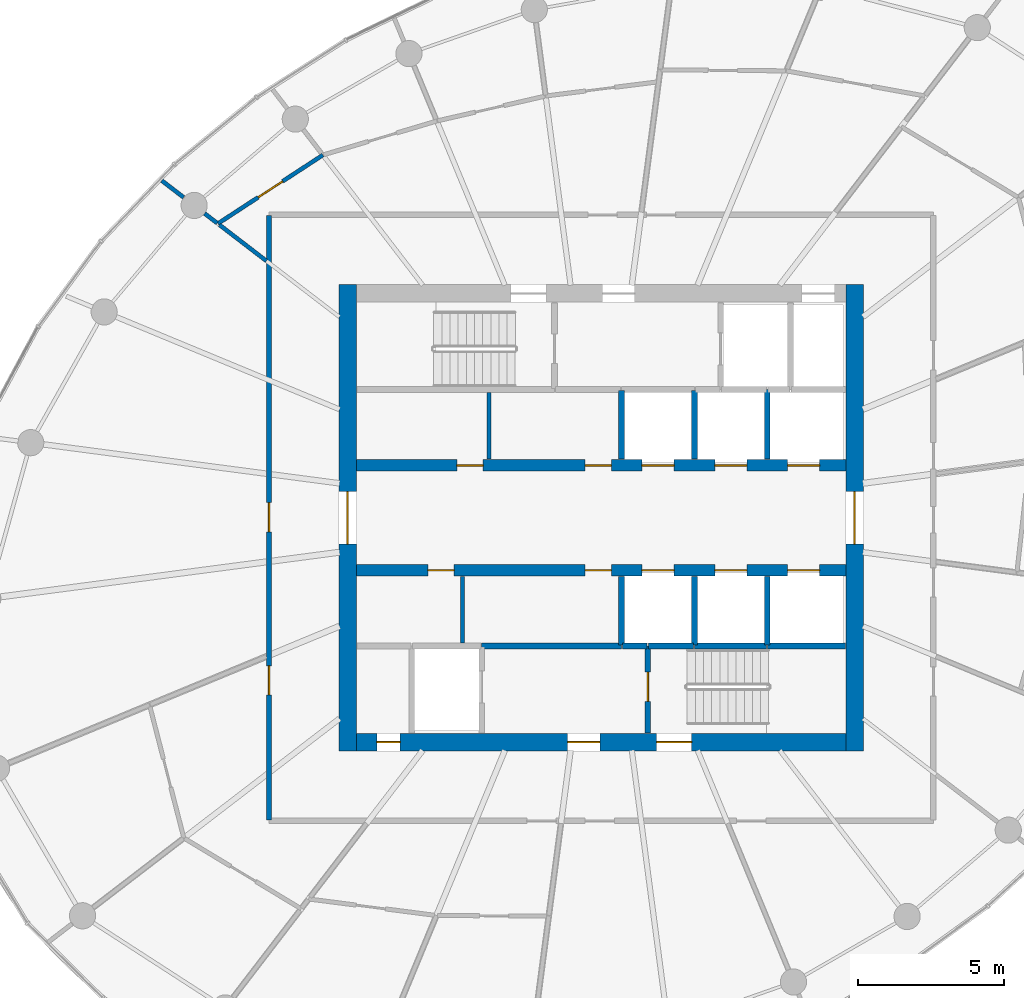
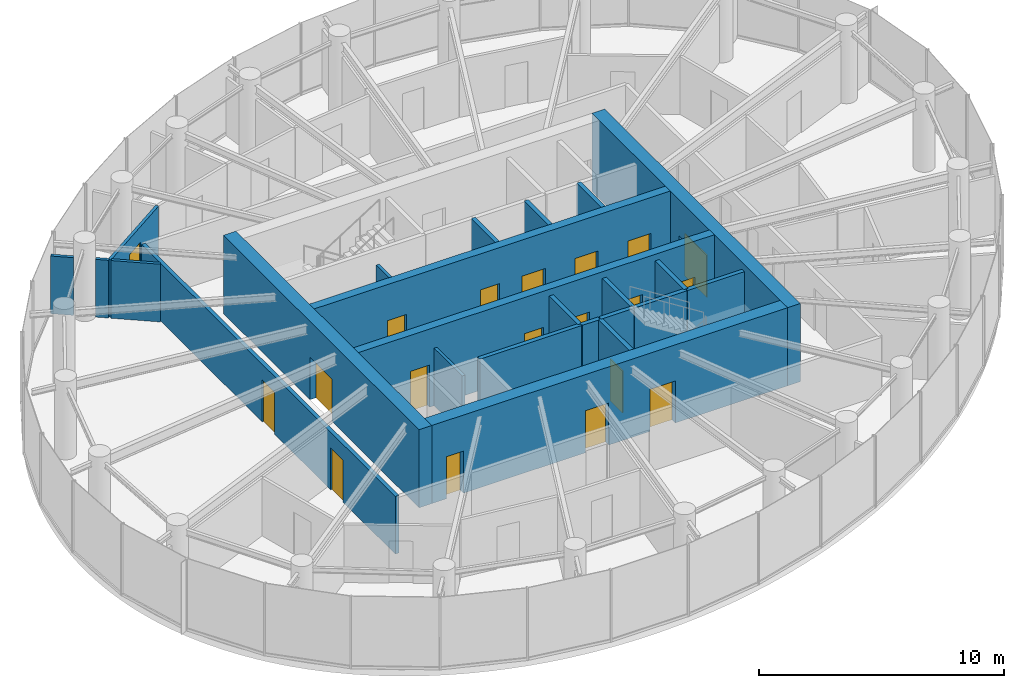
# One storey, part 10 of 14: 24 walls, 19 doors, 19 openings.
"""IFC4 building model written with IfcOpenShell, lengths in metres."""

from ifc_helpers import new_model, si_unit, direction, frame, frame_2d, origin, place, context, subcontext, project, spatial, rectangle, extrude, source, transform, mapped, material, layer, layer_set, type_object, element, fill, save


model = new_model("IFC4")

# Units and contexts
model_context = context("Model", 3, precision=1e-05, world=origin(), true_north=direction((0.0, 1.0)))
body_context = subcontext(model_context, "Body", "Model", "MODEL_VIEW")
ifc_project = project(units=[si_unit("LENGTHUNIT", "METRE"), si_unit("AREAUNIT", "SQUARE_METRE"), si_unit("VOLUMEUNIT", "CUBIC_METRE"), si_unit("PLANEANGLEUNIT", "RADIAN"), si_unit("MASSUNIT", "GRAM", prefix="KILO")], contexts=[model_context])

# Site, building, storey
site_placement = place(None, origin())
site = spatial("IfcSite", under=ifc_project, at=site_placement, CompositionType="ELEMENT")
building_placement = place(site_placement, origin())
building = spatial("IfcBuilding", under=site, at=building_placement, Name="Spindrift Exchange Tower", CompositionType="ELEMENT")
storey_placement = place(building_placement, frame((0.0, 0.0, 203.300048828125)))
storey = spatial("IfcBuildingStorey", under=building, at=storey_placement, Name="L49", CompositionType="ELEMENT", Elevation=203.300048828125)

# Wall, opening, door
ifc_material_1 = material(Name="Concrete 50 MPa", Category="concrete")
ifc_layer_1 = layer(ifc_material_1, 0.60009765625)
ifc_layer_set_1 = layer_set([ifc_layer_1], Name="RC Core Wall 600 Concrete 50 MPa")
wall_type_1 = type_object("IfcWallType", Name="RC Core Wall 600 Concrete 50 MPa", PredefinedType="SHEAR", material=ifc_layer_set_1)
wall_1_placement = place(storey_placement, frame((60.699951171875, 40.0, 0.0), z_axis=(0.0, 0.0, 1.0), x_axis=(0.0, 1.0, 0.0)))
wall_1 = element("IfcWall", 1, at=wall_1_placement, inside=storey, type_object=wall_type_1, Name="Core wall E L49", PredefinedType="SHEAR", context=body_context, shape_type="SweptSolid", body=[
    extrude(rectangle(XDim=16.0, YDim=0.60009765625, at=frame_2d((8.0, 0.0))), origin(), (0.0, 0.0, 1.0), 3.89990234375),
])
opening_1_placement = place(wall_1_placement, frame((7.10009765625, 0.0, 0.0)))
opening_1 = element("IfcOpeningElement", 2, at=opening_1_placement, cuts=wall_1, Name="Opening L49-D2", PredefinedType="OPENING", context=body_context, shape_type="SweptSolid", body=[
    extrude(rectangle(XDim=1.800048828125, YDim=2.10009765625, at=frame_2d((0.89990234375, 1.050048828125))), frame((0.0, 0.31005859375, 0.0), z_axis=(0.0, -1.0, 0.0), x_axis=(1.0, 0.0, 0.0)), (0.0, 0.0, 1.0), 0.6201171875),
])
ifc_material_2 = material(Name="Timber-core fire door", Category="wood")
door_type_1 = type_object("IfcDoorType", Name="DR-LOBBY-1800", OperationType="NOTDEFINED", PredefinedType="DOOR", material=ifc_material_2)
shared_shape_1 = source(origin(), body_context, "Body", "SweptSolid", [
    extrude(rectangle(XDim=1.800048828125, YDim=2.10009765625, at=frame_2d((0.89990234375, 1.050048828125))), frame((0.0, 0.02490234375, 0.0), z_axis=(0.0, -1.0, 0.0), x_axis=(1.0, 0.0, 0.0)), (0.0, 0.0, 1.0), 0.050048828125),
])
door_1_placement = place(opening_1_placement, origin())
door_1 = element("IfcDoor", 3, at=door_1_placement, inside=storey, type_object=door_type_1, Name="L49 Lobby door 2", OperationType="SINGLE_SWING_LEFT", OverallHeight=2.10009765625, OverallWidth=1.800048828125, PredefinedType="DOOR", context=body_context, shape_type="MappedRepresentation", body=[
    mapped(shared_shape_1, transform((0.0, 0.0, 0.0), scale=1.0)),
])
fill(opening_1, door_1)

wall_2_placement = place(storey_placement, frame((43.300048828125, 56.0, 0.0), z_axis=(0.0, 0.0, 1.0), x_axis=(0.0, -1.0, 0.0)))
wall_2 = element("IfcWall", 4, at=wall_2_placement, inside=storey, type_object=wall_type_1, Name="Core wall W L49", PredefinedType="SHEAR", context=body_context, shape_type="SweptSolid", body=[
    extrude(rectangle(XDim=16.0, YDim=0.60009765625, at=frame_2d((8.0, 0.0))), origin(), (0.0, 0.0, 1.0), 3.89990234375),
])
opening_2_placement = place(wall_2_placement, frame((7.10009765625, 0.0, 0.0)))
opening_2 = element("IfcOpeningElement", 5, at=opening_2_placement, cuts=wall_2, Name="Opening L49-D1", PredefinedType="OPENING", context=body_context, shape_type="SweptSolid", body=[
    extrude(rectangle(XDim=1.800048828125, YDim=2.10009765625, at=frame_2d((0.89990234375, 1.050048828125))), frame((0.0, 0.31005859375, 0.0), z_axis=(0.0, -1.0, 0.0), x_axis=(1.0, 0.0, 0.0)), (0.0, 0.0, 1.0), 0.6201171875),
])
door_2_placement = place(opening_2_placement, origin())
door_2 = element("IfcDoor", 6, at=door_2_placement, inside=storey, type_object=door_type_1, Name="L49 Lobby door 1", OperationType="SINGLE_SWING_RIGHT", OverallHeight=2.10009765625, OverallWidth=1.800048828125, PredefinedType="DOOR", context=body_context, shape_type="MappedRepresentation", body=[
    mapped(shared_shape_1, transform((0.0, 0.0, 0.0), scale=1.0)),
])
fill(opening_2, door_2)

# Wall, openings, doors
wall_3_placement = place(storey_placement, frame((43.60009765625, 40.300048828125, 0.0), z_axis=(0.0, 0.0, 1.0), x_axis=(1.0, 0.0, 0.0)))
wall_3 = element("IfcWall", 7, at=wall_3_placement, inside=storey, type_object=wall_type_1, Name="Core wall S L49", PredefinedType="SHEAR", context=body_context, shape_type="SweptSolid", body=[
    extrude(rectangle(XDim=16.7998046875, YDim=0.60009765625, at=frame_2d((8.39990234375, 0.0))), origin(), (0.0, 0.0, 1.0), 3.89990234375),
])
opening_3_placement = place(wall_3_placement, frame((10.300048828125, 0.0, 0.0)))
opening_3 = element("IfcOpeningElement", 8, at=opening_3_placement, cuts=wall_3, Name="Opening L49-D15", PredefinedType="OPENING", context=body_context, shape_type="SweptSolid", body=[
    extrude(rectangle(XDim=1.199951171875, YDim=2.10009765625, at=frame_2d((0.60009765625, 1.050048828125))), frame((0.0, 0.31005859375, 0.0), z_axis=(0.0, -1.0, 0.0), x_axis=(1.0, 0.0, 0.0)), (0.0, 0.0, 1.0), 0.6201171875),
])
opening_4_placement = place(wall_3_placement, frame((7.25, 0.0, 0.0)))
opening_4 = element("IfcOpeningElement", 9, at=opening_4_placement, cuts=wall_3, Name="Opening L49-D17", PredefinedType="OPENING", context=body_context, shape_type="SweptSolid", body=[
    extrude(rectangle(XDim=1.10009765625, YDim=2.10009765625, at=frame_2d((0.550048828125, 1.050048828125))), frame((0.0, 0.31005859375, 0.0), z_axis=(0.0, -1.0, 0.0), x_axis=(1.0, 0.0, 0.0)), (0.0, 0.0, 1.0), 0.6201171875),
])
opening_5_placement = place(wall_3_placement, frame((0.699951171875, 0.0, 0.0)))
opening_5 = element("IfcOpeningElement", 10, at=opening_5_placement, cuts=wall_3, Name="Opening L49-D18", PredefinedType="OPENING", context=body_context, shape_type="SweptSolid", body=[
    extrude(rectangle(XDim=0.800048828125, YDim=2.10009765625, at=frame_2d((0.39990234375, 1.050048828125))), frame((0.0, 0.31005859375, 0.0), z_axis=(0.0, -1.0, 0.0), x_axis=(1.0, 0.0, 0.0)), (0.0, 0.0, 1.0), 0.6201171875),
])
ifc_material_3 = material(Name="Steel fire door", Category="steel")
door_type_2 = type_object("IfcDoorType", Name="DR-STAIR-1200", OperationType="NOTDEFINED", PredefinedType="DOOR", material=ifc_material_3)
shared_shape_2 = source(origin(), body_context, "Body", "SweptSolid", [
    extrude(rectangle(XDim=1.199951171875, YDim=2.10009765625, at=frame_2d((0.60009765625, 1.050048828125))), frame((0.0, 0.02490234375, 0.0), z_axis=(0.0, -1.0, 0.0), x_axis=(1.0, 0.0, 0.0)), (0.0, 0.0, 1.0), 0.050048828125),
])
door_3_placement = place(opening_3_placement, origin())
door_3 = element("IfcDoor", 11, at=door_3_placement, inside=storey, type_object=door_type_2, Name="L49 Stair door 15", OperationType="SINGLE_SWING_LEFT", OverallHeight=2.10009765625, OverallWidth=1.199951171875, PredefinedType="DOOR", context=body_context, shape_type="MappedRepresentation", body=[
    mapped(shared_shape_2, transform((0.0, 0.0, 0.0), scale=1.0)),
])
fill(opening_3, door_3)
door_type_3 = type_object("IfcDoorType", Name="DR-LOBBY-1100", OperationType="NOTDEFINED", PredefinedType="DOOR", material=ifc_material_2)
shared_shape_3 = source(origin(), body_context, "Body", "SweptSolid", [
    extrude(rectangle(XDim=1.10009765625, YDim=2.10009765625, at=frame_2d((0.550048828125, 1.050048828125))), frame((0.0, 0.02490234375, 0.0), z_axis=(0.0, -1.0, 0.0), x_axis=(1.0, 0.0, 0.0)), (0.0, 0.0, 1.0), 0.050048828125),
])
door_4_placement = place(opening_4_placement, origin())
door_4 = element("IfcDoor", 12, at=door_4_placement, inside=storey, type_object=door_type_3, Name="L49 Lobby door 17", OperationType="SINGLE_SWING_LEFT", OverallHeight=2.10009765625, OverallWidth=1.10009765625, PredefinedType="DOOR", context=body_context, shape_type="MappedRepresentation", body=[
    mapped(shared_shape_3, transform((0.0, 0.0, 0.0), scale=1.0)),
])
fill(opening_4, door_4)
ifc_material_4 = material(Name="Steel access door", Category="steel")
door_type_4 = type_object("IfcDoorType", Name="DR-RISER-800", OperationType="NOTDEFINED", PredefinedType="DOOR", material=ifc_material_4)
shared_shape_4 = source(origin(), body_context, "Body", "SweptSolid", [
    extrude(rectangle(XDim=0.800048828125, YDim=2.10009765625, at=frame_2d((0.39990234375, 1.050048828125))), frame((0.0, 0.02490234375, 0.0), z_axis=(0.0, -1.0, 0.0), x_axis=(1.0, 0.0, 0.0)), (0.0, 0.0, 1.0), 0.050048828125),
])
door_5_placement = place(opening_5_placement, origin())
door_5 = element("IfcDoor", 13, at=door_5_placement, inside=storey, type_object=door_type_4, Name="L49 Riser door 18", OperationType="SINGLE_SWING_RIGHT", OverallHeight=2.10009765625, OverallWidth=0.800048828125, PredefinedType="DOOR", context=body_context, shape_type="MappedRepresentation", body=[
    mapped(shared_shape_4, transform((0.0, 0.0, 0.0), scale=1.0)),
])
fill(opening_5, door_5)

ifc_layer_2 = layer(ifc_material_1, 0.39990234375)
ifc_layer_set_2 = layer_set([ifc_layer_2], Name="RC Spine Wall 400 Concrete 50 MPa")
wall_type_2 = type_object("IfcWallType", Name="RC Spine Wall 400 Concrete 50 MPa", PredefinedType="SHEAR", material=ifc_layer_set_2)
wall_4_placement = place(storey_placement, frame((43.60009765625, 49.800048828125, 0.0), z_axis=(0.0, 0.0, 1.0), x_axis=(1.0, 0.0, 0.0)))
wall_4 = element("IfcWall", 14, at=wall_4_placement, inside=storey, type_object=wall_type_2, Name="Core spine wall N L49", PredefinedType="SHEAR", context=body_context, shape_type="SweptSolid", body=[
    extrude(rectangle(XDim=16.7998046875, YDim=0.39990234375, at=frame_2d((8.39990234375, 0.0))), origin(), (0.0, 0.0, 1.0), 3.89990234375),
])
opening_6_placement = place(wall_4_placement, frame((9.800048828125, 0.0, 0.0)))
opening_6 = element("IfcOpeningElement", 15, at=opening_6_placement, cuts=wall_4, Name="Opening L49-D3", PredefinedType="OPENING", context=body_context, shape_type="SweptSolid", body=[
    extrude(rectangle(XDim=1.10009765625, YDim=2.10009765625, at=frame_2d((0.550048828125, 1.050048828125))), frame((0.0, 0.2099609375, 0.0), z_axis=(0.0, -1.0, 0.0), x_axis=(1.0, 0.0, 0.0)), (0.0, 0.0, 1.0), 0.419921875),
])
opening_7_placement = place(wall_4_placement, frame((12.300048828125, 0.0, 0.0)))
opening_7 = element("IfcOpeningElement", 16, at=opening_7_placement, cuts=wall_4, Name="Opening L49-D4", PredefinedType="OPENING", context=body_context, shape_type="SweptSolid", body=[
    extrude(rectangle(XDim=1.10009765625, YDim=2.10009765625, at=frame_2d((0.550048828125, 1.050048828125))), frame((0.0, 0.2099609375, 0.0), z_axis=(0.0, -1.0, 0.0), x_axis=(1.0, 0.0, 0.0)), (0.0, 0.0, 1.0), 0.419921875),
])
opening_8_placement = place(wall_4_placement, frame((14.800048828125, 0.0, 0.0)))
opening_8 = element("IfcOpeningElement", 17, at=opening_8_placement, cuts=wall_4, Name="Opening L49-D5", PredefinedType="OPENING", context=body_context, shape_type="SweptSolid", body=[
    extrude(rectangle(XDim=1.10009765625, YDim=2.10009765625, at=frame_2d((0.550048828125, 1.050048828125))), frame((0.0, 0.2099609375, 0.0), z_axis=(0.0, -1.0, 0.0), x_axis=(1.0, 0.0, 0.0)), (0.0, 0.0, 1.0), 0.419921875),
])
opening_9_placement = place(wall_4_placement, frame((3.449951171875, 0.0, 0.0)))
opening_9 = element("IfcOpeningElement", 18, at=opening_9_placement, cuts=wall_4, Name="Opening L49-D45", PredefinedType="OPENING", context=body_context, shape_type="SweptSolid", body=[
    extrude(rectangle(XDim=0.89990234375, YDim=2.10009765625, at=frame_2d((0.449951171875, 1.050048828125))), frame((0.0, 0.2099609375, 0.0), z_axis=(0.0, -1.0, 0.0), x_axis=(1.0, 0.0, 0.0)), (0.0, 0.0, 1.0), 0.419921875),
])
opening_10_placement = place(wall_4_placement, frame((7.85009765625, 0.0, 0.0)))
opening_10 = element("IfcOpeningElement", 19, at=opening_10_placement, cuts=wall_4, Name="Opening L49-D46", PredefinedType="OPENING", context=body_context, shape_type="SweptSolid", body=[
    extrude(rectangle(XDim=0.89990234375, YDim=2.10009765625, at=frame_2d((0.449951171875, 1.050048828125))), frame((0.0, 0.2099609375, 0.0), z_axis=(0.0, -1.0, 0.0), x_axis=(1.0, 0.0, 0.0)), (0.0, 0.0, 1.0), 0.419921875),
])
ifc_material_5 = material(Name="Stainless steel landing door", Category="steel")
door_type_5 = type_object("IfcDoorType", Name="DR-LANDING-1100-SL", OperationType="DOUBLE_DOOR_SLIDING", PredefinedType="USERDEFINED", material=ifc_material_5)
shared_shape_5 = source(origin(), body_context, "Body", "SweptSolid", [
    extrude(rectangle(XDim=1.10009765625, YDim=2.10009765625, at=frame_2d((0.550048828125, 1.050048828125))), frame((0.0, 0.02490234375, 0.0), z_axis=(0.0, -1.0, 0.0), x_axis=(1.0, 0.0, 0.0)), (0.0, 0.0, 1.0), 0.050048828125),
])
door_6_placement = place(opening_6_placement, origin())
door_6 = element("IfcDoor", 20, at=door_6_placement, inside=storey, type_object=door_type_5, Name="L49 Lift landing door 3", ObjectType="LANDING DOOR", OperationType="DOUBLE_DOOR_SLIDING", OverallHeight=2.10009765625, OverallWidth=1.10009765625, PredefinedType="USERDEFINED", context=body_context, shape_type="MappedRepresentation", body=[
    mapped(shared_shape_5, transform((0.0, 0.0, 0.0), scale=1.0)),
])
fill(opening_6, door_6)
door_7_placement = place(opening_7_placement, origin())
door_7 = element("IfcDoor", 21, at=door_7_placement, inside=storey, type_object=door_type_5, Name="L49 Lift landing door 4", ObjectType="LANDING DOOR", OperationType="DOUBLE_DOOR_SLIDING", OverallHeight=2.10009765625, OverallWidth=1.10009765625, PredefinedType="USERDEFINED", context=body_context, shape_type="MappedRepresentation", body=[
    mapped(shared_shape_5, transform((0.0, 0.0, 0.0), scale=1.0)),
])
fill(opening_7, door_7)
door_8_placement = place(opening_8_placement, origin())
door_8 = element("IfcDoor", 22, at=door_8_placement, inside=storey, type_object=door_type_5, Name="L49 Lift landing door 5", ObjectType="LANDING DOOR", OperationType="DOUBLE_DOOR_SLIDING", OverallHeight=2.10009765625, OverallWidth=1.10009765625, PredefinedType="USERDEFINED", context=body_context, shape_type="MappedRepresentation", body=[
    mapped(shared_shape_5, transform((0.0, 0.0, 0.0), scale=1.0)),
])
fill(opening_8, door_8)
door_type_6 = type_object("IfcDoorType", Name="DR-RISER-900", OperationType="NOTDEFINED", PredefinedType="DOOR", material=ifc_material_4)
shared_shape_6 = source(origin(), body_context, "Body", "SweptSolid", [
    extrude(rectangle(XDim=0.89990234375, YDim=2.10009765625, at=frame_2d((0.449951171875, 1.050048828125))), frame((0.0, 0.02490234375, 0.0), z_axis=(0.0, -1.0, 0.0), x_axis=(1.0, 0.0, 0.0)), (0.0, 0.0, 1.0), 0.050048828125),
])
door_9_placement = place(opening_9_placement, origin())
door_9 = element("IfcDoor", 23, at=door_9_placement, inside=storey, type_object=door_type_6, Name="L49 Riser door 45", OperationType="SINGLE_SWING_LEFT", OverallHeight=2.10009765625, OverallWidth=0.89990234375, PredefinedType="DOOR", context=body_context, shape_type="MappedRepresentation", body=[
    mapped(shared_shape_6, transform((0.0, 0.0, 0.0), scale=1.0)),
])
fill(opening_9, door_9)
door_10_placement = place(opening_10_placement, origin())
door_10 = element("IfcDoor", 24, at=door_10_placement, inside=storey, type_object=door_type_6, Name="L49 Riser door 46", OperationType="SINGLE_SWING_RIGHT", OverallHeight=2.10009765625, OverallWidth=0.89990234375, PredefinedType="DOOR", context=body_context, shape_type="MappedRepresentation", body=[
    mapped(shared_shape_6, transform((0.0, 0.0, 0.0), scale=1.0)),
])
fill(opening_10, door_10)

wall_5_placement = place(storey_placement, frame((43.60009765625, 46.199951171875, 0.0), z_axis=(0.0, 0.0, 1.0), x_axis=(1.0, 0.0, 0.0)))
wall_5 = element("IfcWall", 25, at=wall_5_placement, inside=storey, type_object=wall_type_2, Name="Core spine wall S L49", PredefinedType="SHEAR", context=body_context, shape_type="SweptSolid", body=[
    extrude(rectangle(XDim=16.7998046875, YDim=0.39990234375, at=frame_2d((8.39990234375, 0.0))), origin(), (0.0, 0.0, 1.0), 3.89990234375),
])
opening_11_placement = place(wall_5_placement, frame((9.800048828125, 0.0, 0.0)))
opening_11 = element("IfcOpeningElement", 26, at=opening_11_placement, cuts=wall_5, Name="Opening L49-D6", PredefinedType="OPENING", context=body_context, shape_type="SweptSolid", body=[
    extrude(rectangle(XDim=1.10009765625, YDim=2.10009765625, at=frame_2d((0.550048828125, 1.050048828125))), frame((0.0, 0.2099609375, 0.0), z_axis=(0.0, -1.0, 0.0), x_axis=(1.0, 0.0, 0.0)), (0.0, 0.0, 1.0), 0.419921875),
])
opening_12_placement = place(wall_5_placement, frame((12.300048828125, 0.0, 0.0)))
opening_12 = element("IfcOpeningElement", 27, at=opening_12_placement, cuts=wall_5, Name="Opening L49-D7", PredefinedType="OPENING", context=body_context, shape_type="SweptSolid", body=[
    extrude(rectangle(XDim=1.10009765625, YDim=2.10009765625, at=frame_2d((0.550048828125, 1.050048828125))), frame((0.0, 0.2099609375, 0.0), z_axis=(0.0, -1.0, 0.0), x_axis=(1.0, 0.0, 0.0)), (0.0, 0.0, 1.0), 0.419921875),
])
opening_13_placement = place(wall_5_placement, frame((14.800048828125, 0.0, 0.0)))
opening_13 = element("IfcOpeningElement", 28, at=opening_13_placement, cuts=wall_5, Name="Opening L49-D8", PredefinedType="OPENING", context=body_context, shape_type="SweptSolid", body=[
    extrude(rectangle(XDim=1.10009765625, YDim=2.10009765625, at=frame_2d((0.550048828125, 1.050048828125))), frame((0.0, 0.2099609375, 0.0), z_axis=(0.0, -1.0, 0.0), x_axis=(1.0, 0.0, 0.0)), (0.0, 0.0, 1.0), 0.419921875),
])
opening_14_placement = place(wall_5_placement, frame((2.449951171875, 0.0, 0.0)))
opening_14 = element("IfcOpeningElement", 29, at=opening_14_placement, cuts=wall_5, Name="Opening L49-D47", PredefinedType="OPENING", context=body_context, shape_type="SweptSolid", body=[
    extrude(rectangle(XDim=0.89990234375, YDim=2.10009765625, at=frame_2d((0.449951171875, 1.050048828125))), frame((0.0, 0.2099609375, 0.0), z_axis=(0.0, -1.0, 0.0), x_axis=(1.0, 0.0, 0.0)), (0.0, 0.0, 1.0), 0.419921875),
])
opening_15_placement = place(wall_5_placement, frame((7.85009765625, 0.0, 0.0)))
opening_15 = element("IfcOpeningElement", 30, at=opening_15_placement, cuts=wall_5, Name="Opening L49-D48", PredefinedType="OPENING", context=body_context, shape_type="SweptSolid", body=[
    extrude(rectangle(XDim=0.89990234375, YDim=2.10009765625, at=frame_2d((0.449951171875, 1.050048828125))), frame((0.0, 0.2099609375, 0.0), z_axis=(0.0, -1.0, 0.0), x_axis=(1.0, 0.0, 0.0)), (0.0, 0.0, 1.0), 0.419921875),
])
door_11_placement = place(opening_11_placement, origin())
door_11 = element("IfcDoor", 31, at=door_11_placement, inside=storey, type_object=door_type_5, Name="L49 Lift landing door 6", ObjectType="LANDING DOOR", OperationType="DOUBLE_DOOR_SLIDING", OverallHeight=2.10009765625, OverallWidth=1.10009765625, PredefinedType="USERDEFINED", context=body_context, shape_type="MappedRepresentation", body=[
    mapped(shared_shape_5, transform((0.0, 0.0, 0.0), scale=1.0)),
])
fill(opening_11, door_11)
door_12_placement = place(opening_12_placement, origin())
door_12 = element("IfcDoor", 32, at=door_12_placement, inside=storey, type_object=door_type_5, Name="L49 Lift landing door 7", ObjectType="LANDING DOOR", OperationType="DOUBLE_DOOR_SLIDING", OverallHeight=2.10009765625, OverallWidth=1.10009765625, PredefinedType="USERDEFINED", context=body_context, shape_type="MappedRepresentation", body=[
    mapped(shared_shape_5, transform((0.0, 0.0, 0.0), scale=1.0)),
])
fill(opening_12, door_12)
door_13_placement = place(opening_13_placement, origin())
door_13 = element("IfcDoor", 33, at=door_13_placement, inside=storey, type_object=door_type_5, Name="L49 Lift landing door 8", ObjectType="LANDING DOOR", OperationType="DOUBLE_DOOR_SLIDING", OverallHeight=2.10009765625, OverallWidth=1.10009765625, PredefinedType="USERDEFINED", context=body_context, shape_type="MappedRepresentation", body=[
    mapped(shared_shape_5, transform((0.0, 0.0, 0.0), scale=1.0)),
])
fill(opening_13, door_13)
door_14_placement = place(opening_14_placement, origin())
door_14 = element("IfcDoor", 34, at=door_14_placement, inside=storey, type_object=door_type_6, Name="L49 Riser door 47", OperationType="SINGLE_SWING_LEFT", OverallHeight=2.10009765625, OverallWidth=0.89990234375, PredefinedType="DOOR", context=body_context, shape_type="MappedRepresentation", body=[
    mapped(shared_shape_6, transform((0.0, 0.0, 0.0), scale=1.0)),
])
fill(opening_14, door_14)
door_15_placement = place(opening_15_placement, origin())
door_15 = element("IfcDoor", 35, at=door_15_placement, inside=storey, type_object=door_type_6, Name="L49 Riser door 48", OperationType="SINGLE_SWING_RIGHT", OverallHeight=2.10009765625, OverallWidth=0.89990234375, PredefinedType="DOOR", context=body_context, shape_type="MappedRepresentation", body=[
    mapped(shared_shape_6, transform((0.0, 0.0, 0.0), scale=1.0)),
])
fill(opening_15, door_15)

ifc_material_6 = material(Name="Fire-rated plasterboard partition", Category="gypsum")
ifc_layer_3 = layer(ifc_material_6, 0.179931640625)
ifc_layer_set_3 = layer_set([ifc_layer_3], Name="W-CORR-180")
wall_type_3 = type_object("IfcWallType", Name="W-CORR-180", PredefinedType="PARTITIONING", material=ifc_layer_set_3)
wall_6_placement = place(storey_placement, frame((40.60009765625, 37.6298828125, 0.0), z_axis=(0.0, 0.0, 1.0), x_axis=(0.0, 1.0, 0.0)))
wall_6 = element("IfcWall", 36, at=wall_6_placement, inside=storey, type_object=wall_type_3, Name="L49 Partition wall 30", PredefinedType="PARTITIONING", context=body_context, shape_type="SweptSolid", body=[
    extrude(rectangle(XDim=20.740234375, YDim=0.179931640625, at=frame_2d((10.3701171875, 0.0))), origin(), (0.0, 0.0, 1.0), 2.8798828125),
])
opening_16_placement = place(wall_6_placement, frame((9.889892578125, 0.0, 0.0)))
opening_16 = element("IfcOpeningElement", 37, at=opening_16_placement, cuts=wall_6, Name="Opening L49-D33", PredefinedType="OPENING", context=body_context, shape_type="SweptSolid", body=[
    extrude(rectangle(XDim=1.0, YDim=2.10009765625, at=frame_2d((0.5, 1.050048828125))), frame((0.0, 0.099853515625, 0.0), z_axis=(0.0, -1.0, 0.0), x_axis=(1.0, 0.0, 0.0)), (0.0, 0.0, 1.0), 0.199951171875),
])
opening_17_placement = place(wall_6_placement, frame((4.2900390625, 0.0, 0.0)))
opening_17 = element("IfcOpeningElement", 38, at=opening_17_placement, cuts=wall_6, Name="Opening L49-D34", PredefinedType="OPENING", context=body_context, shape_type="SweptSolid", body=[
    extrude(rectangle(XDim=1.0, YDim=2.10009765625, at=frame_2d((0.5, 1.050048828125))), frame((0.0, 0.099853515625, 0.0), z_axis=(0.0, -1.0, 0.0), x_axis=(1.0, 0.0, 0.0)), (0.0, 0.0, 1.0), 0.199951171875),
])
door_type_7 = type_object("IfcDoorType", Name="DR-ROOM-1000", OperationType="NOTDEFINED", PredefinedType="DOOR", material=ifc_material_2)
shared_shape_7 = source(origin(), body_context, "Body", "SweptSolid", [
    extrude(rectangle(XDim=1.0, YDim=2.10009765625, at=frame_2d((0.5, 1.050048828125))), frame((0.0, 0.02490234375, 0.0), z_axis=(0.0, -1.0, 0.0), x_axis=(1.0, 0.0, 0.0)), (0.0, 0.0, 1.0), 0.050048828125),
])
door_16_placement = place(opening_16_placement, origin())
door_16 = element("IfcDoor", 39, at=door_16_placement, inside=storey, type_object=door_type_7, Name="L49 Door 33", OperationType="SINGLE_SWING_LEFT", OverallHeight=2.10009765625, OverallWidth=1.0, PredefinedType="DOOR", context=body_context, shape_type="MappedRepresentation", body=[
    mapped(shared_shape_7, transform((0.0, 0.0, 0.0), scale=1.0)),
])
fill(opening_16, door_16)
door_17_placement = place(opening_17_placement, origin())
door_17 = element("IfcDoor", 40, at=door_17_placement, inside=storey, type_object=door_type_7, Name="L49 Door 34", OperationType="SINGLE_SWING_RIGHT", OverallHeight=2.10009765625, OverallWidth=1.0, PredefinedType="DOOR", context=body_context, shape_type="MappedRepresentation", body=[
    mapped(shared_shape_7, transform((0.0, 0.0, 0.0), scale=1.0)),
])
fill(opening_17, door_17)

# Wall, opening, door
ifc_layer_4 = layer(ifc_material_6, 0.139892578125)
ifc_layer_set_4 = layer_set([ifc_layer_4], Name="W-PART-140")
wall_type_4 = type_object("IfcWallType", Name="W-PART-140", PredefinedType="PARTITIONING", material=ifc_layer_set_4)
wall_7_placement = place(storey_placement, frame((38.843017578125, 58.095703125, 0.0), z_axis=(0.0, 0.0, 1.0), x_axis=(0.83707650684, 0.547085844907, 0.0)))
wall_7 = element("IfcWall", 41, at=wall_7_placement, inside=storey, type_object=wall_type_4, Name="L49 Partition wall 46", PredefinedType="PARTITIONING", context=body_context, shape_type="SweptSolid", body=[
    extrude(rectangle(XDim=4.3046875, YDim=0.139892578125, at=frame_2d((2.15234375, 0.0))), origin(), (0.0, 0.0, 1.0), 2.8798828125),
])
opening_18_placement = place(wall_7_placement, frame((1.654541015625, 0.0, 0.0)))
opening_18 = element("IfcOpeningElement", 42, at=opening_18_placement, cuts=wall_7, Name="Opening L49-D32", PredefinedType="OPENING", context=body_context, shape_type="SweptSolid", body=[
    extrude(rectangle(XDim=1.0, YDim=2.10009765625, at=frame_2d((0.5, 1.050048828125))), frame((0.0, 0.079833984375, 0.0), z_axis=(0.0, -1.0, 0.0), x_axis=(1.0, 0.0, 0.0)), (0.0, 0.0, 1.0), 0.159912109375),
])
door_18_placement = place(opening_18_placement, origin())
door_18 = element("IfcDoor", 43, at=door_18_placement, inside=storey, type_object=door_type_7, Name="L49 Door 32", OperationType="SINGLE_SWING_RIGHT", OverallHeight=2.10009765625, OverallWidth=1.0, PredefinedType="DOOR", context=body_context, shape_type="MappedRepresentation", body=[
    mapped(shared_shape_7, transform((0.0, 0.0, 0.0), scale=1.0)),
])
fill(opening_18, door_18)

# Walls
wall_8_placement = place(storey_placement, frame((38.3896484375, 58.443603515625, 0.0), z_axis=(0.0, 0.0, 1.0), x_axis=(0.793294129055, -0.608838586825, 0.0)))
element("IfcWall", 44, at=wall_8_placement, inside=storey, type_object=wall_type_4, Name="L49 Partition wall 68", PredefinedType="PARTITIONING", context=body_context, shape_type="SweptSolid", body=[
    extrude(rectangle(XDim=0.541259765625, YDim=0.139892578125, at=frame_2d((0.2705078125, 0.0))), origin(), (0.0, 0.0, 1.0), 2.8798828125),
])
wall_9_placement = place(storey_placement, frame((38.90185546875, 58.050537109375, 0.0), z_axis=(0.0, 0.0, 1.0), x_axis=(0.7933756116, -0.608732403374, 0.0)))
element("IfcWall", 45, at=wall_9_placement, inside=storey, type_object=wall_type_4, Name="L49 Partition wall 69", PredefinedType="PARTITIONING", context=body_context, shape_type="SweptSolid", body=[
    extrude(rectangle(XDim=2.02685546875, YDim=0.139892578125, at=frame_2d((1.013427734375, 0.0))), origin(), (0.0, 0.0, 1.0), 2.8798828125),
])
for number, where, z_axis, x_axis, name in (
    (46, (47.239990234375, 43.699951171875, 0.0), (0.0, 0.0, 1.0), (0.0, 1.0, 0.0), "L49 Partition wall 72"),
    (47, (48.14990234375, 50.010009765625, 0.0), (0.0, 0.0, 1.0), (0.0, 1.0, 0.0), "L49 Partition wall 73"),
):
    element("IfcWall", number, at=place(storey_placement, frame(where, z_axis=z_axis, x_axis=x_axis)), inside=storey, type_object=wall_type_4, Name=name, PredefinedType="PARTITIONING", context=body_context, shape_type="SweptSolid", body=[
        extrude(rectangle(XDim=2.2900390625, YDim=0.139892578125, at=frame_2d((1.14501953125, 0.0))), origin(), (0.0, 0.0, 1.0), 2.8798828125),
    ])
wall_10_placement = place(storey_placement, frame((37.66845703125, 58.9970703125, 0.0), z_axis=(0.0, 0.0, 1.0), x_axis=(-0.793344167197, 0.608773383431, 0.0)))
element("IfcWall", 48, at=wall_10_placement, inside=storey, type_object=wall_type_4, Name="L49 Partition wall 89", PredefinedType="PARTITIONING", context=body_context, shape_type="SweptSolid", body=[
    extrude(rectangle(XDim=0.9443359375, YDim=0.139892578125, at=frame_2d((0.47216796875, 0.0))), origin(), (0.0, 0.0, 1.0), 2.8798828125),
])
ifc_material_7 = material(Name="Concrete 40 MPa", Category="concrete")
ifc_layer_5 = layer(ifc_material_7, 0.199951171875)
ifc_layer_set_5 = layer_set([ifc_layer_5], Name="W-SHAFT-200")
wall_type_5 = type_object("IfcWallType", Name="W-SHAFT-200", PredefinedType="SOLIDWALL", material=ifc_layer_set_5)
wall_11_placement = place(storey_placement, frame((52.699951171875, 43.60009765625, 0.0), z_axis=(0.0, 0.0, 1.0), x_axis=(-1.0, 0.0, 0.0)))
element("IfcWall", 49, at=wall_11_placement, inside=storey, type_object=wall_type_5, Name="L49 Shaft wall 2", PredefinedType="SOLIDWALL", context=body_context, shape_type="SweptSolid", body=[
    extrude(rectangle(XDim=4.800048828125, YDim=0.199951171875, at=frame_2d((2.39990234375, 0.0))), origin(), (0.0, 0.0, 1.0), 3.579833984375),
])
for number, where, z_axis, x_axis, name in (
    (50, (52.699951171875, 45.989990234375, 0.0), (0.0, 0.0, 1.0), (0.0, -1.0, 0.0), "L49 Shaft wall 13"),
    (51, (52.699951171875, 52.3701171875, 0.0), (0.0, 0.0, 1.0), (0.0, -1.0, 0.0), "L49 Shaft wall 14"),
    (52, (55.199951171875, 50.010009765625, 0.0), (0.0, 0.0, 1.0), (0.0, 1.0, 0.0), "L49 Shaft wall 16"),
):
    element("IfcWall", number, at=place(storey_placement, frame(where, z_axis=z_axis, x_axis=x_axis)), inside=storey, type_object=wall_type_5, Name=name, PredefinedType="SOLIDWALL", context=body_context, shape_type="SweptSolid", body=[
        extrude(rectangle(XDim=2.360107421875, YDim=0.199951171875, at=frame_2d((1.18017578125, 0.0))), origin(), (0.0, 0.0, 1.0), 3.579833984375),
    ])
wall_12_placement = place(storey_placement, frame((57.699951171875, 50.010009765625, 0.0), z_axis=(0.0, 0.0, 1.0), x_axis=(0.0, 1.0, 0.0)))
element("IfcWall", 53, at=wall_12_placement, inside=storey, type_object=wall_type_5, Name="L49 Shaft wall 18", PredefinedType="SOLIDWALL", context=body_context, shape_type="SweptSolid", body=[
    extrude(rectangle(XDim=2.389892578125, YDim=0.199951171875, at=frame_2d((1.19482421875, 0.0))), origin(), (0.0, 0.0, 1.0), 3.579833984375),
])

# Wall, opening, door
ifc_layer_6 = layer(ifc_material_7, 0.199951171875)
ifc_layer_set_6 = layer_set([ifc_layer_6], Name="W-SHAFT-200-LB")
wall_type_6 = type_object("IfcWallType", Name="W-SHAFT-200-LB", PredefinedType="SOLIDWALL", material=ifc_layer_set_6)
wall_13_placement = place(storey_placement, frame((53.60009765625, 43.60009765625, 0.0), z_axis=(0.0, 0.0, 1.0), x_axis=(0.0, -1.0, 0.0)))
wall_13 = element("IfcWall", 54, at=wall_13_placement, inside=storey, type_object=wall_type_6, Name="L49 Shaft wall 6", PredefinedType="SOLIDWALL", context=body_context, shape_type="SweptSolid", body=[
    extrude(rectangle(XDim=2.97998046875, YDim=0.199951171875, at=frame_2d((1.489990234375, 0.0))), origin(), (0.0, 0.0, 1.0), 3.579833984375),
])
opening_19_placement = place(wall_13_placement, frame((0.89990234375, 0.0, 0.0)))
opening_19 = element("IfcOpeningElement", 55, at=opening_19_placement, cuts=wall_13, Name="Opening L49-D16", PredefinedType="OPENING", context=body_context, shape_type="SweptSolid", body=[
    extrude(rectangle(XDim=1.0, YDim=2.10009765625, at=frame_2d((0.5, 1.050048828125))), frame((0.0, 0.10986328125, 0.0), z_axis=(0.0, -1.0, 0.0), x_axis=(1.0, 0.0, 0.0)), (0.0, 0.0, 1.0), 0.219970703125),
])
door_type_8 = type_object("IfcDoorType", Name="DR-STAIR-1000", OperationType="NOTDEFINED", PredefinedType="DOOR", material=ifc_material_3)
shared_shape_8 = source(origin(), body_context, "Body", "SweptSolid", [
    extrude(rectangle(XDim=1.0, YDim=2.10009765625, at=frame_2d((0.5, 1.050048828125))), frame((0.0, 0.02490234375, 0.0), z_axis=(0.0, -1.0, 0.0), x_axis=(1.0, 0.0, 0.0)), (0.0, 0.0, 1.0), 0.050048828125),
])
door_19_placement = place(opening_19_placement, origin())
door_19 = element("IfcDoor", 56, at=door_19_placement, inside=storey, type_object=door_type_8, Name="L49 Stair door 16", OperationType="SINGLE_SWING_RIGHT", OverallHeight=2.10009765625, OverallWidth=1.0, PredefinedType="DOOR", context=body_context, shape_type="MappedRepresentation", body=[
    mapped(shared_shape_8, transform((0.0, 0.0, 0.0), scale=1.0)),
])
fill(opening_19, door_19)

# Walls
wall_14_placement = place(storey_placement, frame((57.699951171875, 43.60009765625, 0.0), z_axis=(0.0, 0.0, 1.0), x_axis=(1.0, 0.0, 0.0)))
element("IfcWall", 57, at=wall_14_placement, inside=storey, type_object=wall_type_6, Name="L49 Shaft wall 9", PredefinedType="SOLIDWALL", context=body_context, shape_type="SweptSolid", body=[
    extrude(rectangle(XDim=2.679931640625, YDim=0.199951171875, at=frame_2d((1.33984375, 0.0))), origin(), (0.0, 0.0, 1.0), 3.579833984375),
])
wall_15_placement = place(storey_placement, frame((55.199951171875, 43.60009765625, 0.0), z_axis=(0.0, 0.0, 1.0), x_axis=(1.0, 0.0, 0.0)))
element("IfcWall", 58, at=wall_15_placement, inside=storey, type_object=wall_type_6, Name="L49 Shaft wall 11", PredefinedType="SOLIDWALL", context=body_context, shape_type="SweptSolid", body=[
    extrude(rectangle(XDim=2.469970703125, YDim=0.199951171875, at=frame_2d((1.23486328125, 0.0))), origin(), (0.0, 0.0, 1.0), 3.579833984375),
])
for number, where, z_axis, x_axis, name in (
    (59, (55.199951171875, 43.6298828125, 0.0), (0.0, 0.0, 1.0), (0.0, 1.0, 0.0), "L49 Shaft wall 15"),
    (60, (57.699951171875, 43.6298828125, 0.0), (0.0, 0.0, 1.0), (0.0, 1.0, 0.0), "L49 Shaft wall 17"),
):
    element("IfcWall", number, at=place(storey_placement, frame(where, z_axis=z_axis, x_axis=x_axis)), inside=storey, type_object=wall_type_6, Name=name, PredefinedType="SOLIDWALL", context=body_context, shape_type="SweptSolid", body=[
        extrude(rectangle(XDim=2.360107421875, YDim=0.199951171875, at=frame_2d((1.18017578125, 0.0))), origin(), (0.0, 0.0, 1.0), 3.579833984375),
    ])
wall_16_placement = place(storey_placement, frame((53.6298828125, 43.60009765625, 0.0), z_axis=(0.0, 0.0, 1.0), x_axis=(1.0, 0.0, 0.0)))
element("IfcWall", 61, at=wall_16_placement, inside=storey, type_object=wall_type_6, Name="L49 Shaft wall 22", PredefinedType="SOLIDWALL", context=body_context, shape_type="SweptSolid", body=[
    extrude(rectangle(XDim=1.5400390625, YDim=0.199951171875, at=frame_2d((0.77001953125, 0.0))), origin(), (0.0, 0.0, 1.0), 3.579833984375),
])
wall_17_placement = place(storey_placement, frame((52.72998046875, 43.60009765625, 0.0), z_axis=(0.0, 0.0, 1.0), x_axis=(1.0, 0.0, 0.0)))
element("IfcWall", 62, at=wall_17_placement, inside=storey, type_object=wall_type_6, Name="L49 Shaft wall 24", PredefinedType="SOLIDWALL", context=body_context, shape_type="SweptSolid", body=[
    extrude(rectangle(XDim=0.840087890625, YDim=0.199951171875, at=frame_2d((0.419921875, 0.0))), origin(), (0.0, 0.0, 1.0), 3.579833984375),
])

save(model, "model.ifc")
